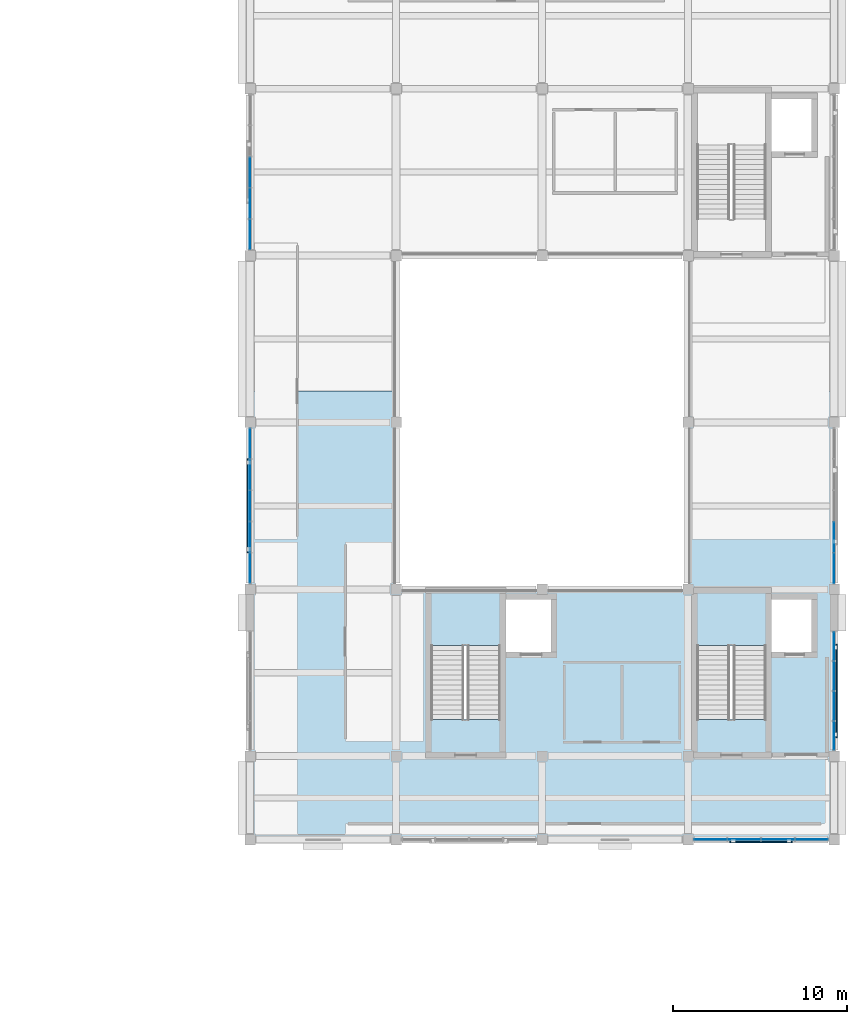
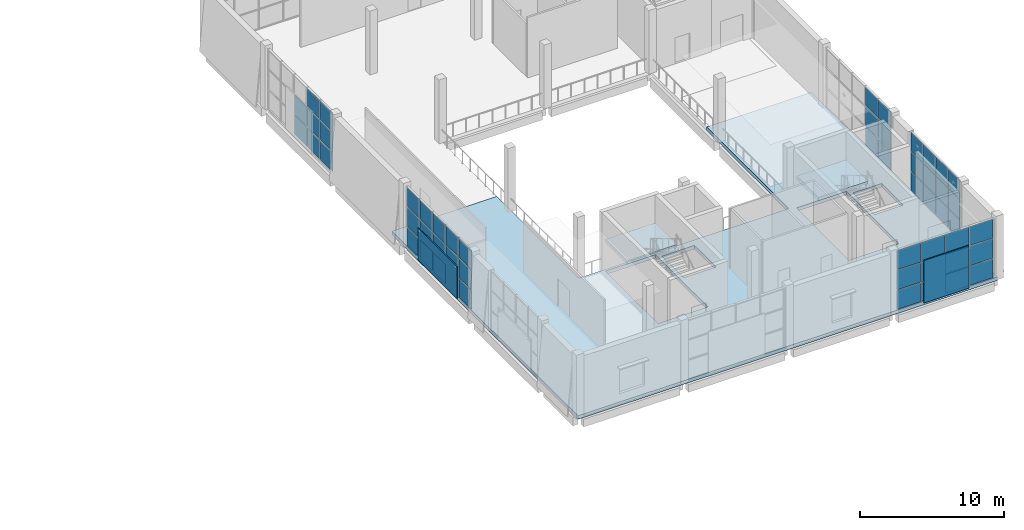
# One storey, part 35 of 57: 56 plates, 3 slabs, 7 elements without a shape of their own.
"""IFC4 building model written with IfcOpenShell, lengths in metres."""

from ifc_helpers import new_model, si_unit, direction, frame, origin, origin_2d, place, context, subcontext, project, spatial, polyline, rectangle, outline, extrude, material, layer, layer_set, type_object, element, aggregate, save


model = new_model("IFC4")

# Units and contexts
model_context = context("Model", 3, precision=1e-05, world=origin(), true_north=direction((0.0, 1.0)))
body_context = subcontext(model_context, "Body", "Model", "MODEL_VIEW")
ifc_project = project(units=[si_unit("LENGTHUNIT", "METRE"), si_unit("AREAUNIT", "SQUARE_METRE"), si_unit("VOLUMEUNIT", "CUBIC_METRE"), si_unit("PLANEANGLEUNIT", "RADIAN"), si_unit("MASSUNIT", "GRAM", prefix="KILO")], contexts=[model_context])

# Site, building, storey
site_placement = place(None, origin())
site = spatial("IfcSite", under=ifc_project, at=site_placement, CompositionType="ELEMENT")
building_placement = place(site_placement, origin())
building = spatial("IfcBuilding", under=site, at=building_placement, Name="Shalvenor Court Art Gallery", CompositionType="ELEMENT")
storey_placement = place(building_placement, frame((0.0, 0.0, 16.800048828125)))
storey = spatial("IfcBuildingStorey", under=building, at=storey_placement, Name="L03", CompositionType="ELEMENT", Elevation=16.800048828125)

# Curtain wall, plates
ifc_material_1 = material(Name="Anodised aluminium and low-iron glass curtain wall", Category="aluminium")
curtain_wall_type_1 = type_object("IfcCurtainWallType", Name="CW-5x3-90-51-642", PredefinedType="USERDEFINED", material=ifc_material_1)
curtain_wall_1_placement = place(storey_placement, origin())
curtain_wall_1 = element("IfcCurtainWall", 1, at=curtain_wall_1_placement, inside=storey, type_object=curtain_wall_type_1, Name="L03 V1 Curtain Wall CW-L03-023", ObjectType="CURTAIN WALL", PredefinedType="USERDEFINED")
ifc_material_2 = material(Name="Low-iron triple-silver solar gallery glazing IGU", Category="glass")
ifc_layer_1 = layer(ifc_material_2, 0.031982421875, Name="Low-iron triple-silver solar gallery glazing IGU")
ifc_layer_set_1 = layer_set([ifc_layer_1], Name="Low-iron triple-silver solar gallery glazing IGU")
plate_type_1 = type_object("IfcPlateType", Name="CWP-02", PredefinedType="CURTAIN_PANEL", material=ifc_layer_set_1)
plate_1_placement = place(storey_placement, frame((176.39990234375, 63.0, 0.06982421875), z_axis=(0.0, 0.0, 1.0), x_axis=(0.0, -1.0, 0.0)))
plate_1 = element("IfcPlate", 2, at=plate_1_placement, type_object=plate_type_1, Name="CW-5x3-90-51-642 panel 4.1", PredefinedType="CURTAIN_PANEL", context=body_context, shape_type="SweptSolid", body=[
    extrude(rectangle(XDim=1.7451171875, YDim=0.031982421875, at=origin_2d()), origin(), (0.0, 0.0, 1.0), 1.594970703125),
])
plate_2_placement = place(storey_placement, frame((176.39990234375, 63.0, 1.735107421875), z_axis=(0.0, 0.0, 1.0), x_axis=(0.0, -1.0, 0.0)))
plate_2 = element("IfcPlate", 3, at=plate_2_placement, type_object=plate_type_1, Name="CW-5x3-90-51-642 panel 4.2", PredefinedType="CURTAIN_PANEL", context=body_context, shape_type="SweptSolid", body=[
    extrude(rectangle(XDim=1.7451171875, YDim=0.031982421875, at=origin_2d()), origin(), (0.0, 0.0, 1.0), 1.6298828125),
])
plate_3_placement = place(storey_placement, frame((176.39990234375, 63.0, 3.43505859375), z_axis=(0.0, 0.0, 1.0), x_axis=(0.0, -1.0, 0.0)))
plate_3 = element("IfcPlate", 4, at=plate_3_placement, type_object=plate_type_1, Name="CW-5x3-90-51-642 panel 4.3", PredefinedType="CURTAIN_PANEL", context=body_context, shape_type="SweptSolid", body=[
    extrude(rectangle(XDim=1.7451171875, YDim=0.031982421875, at=origin_2d()), origin(), (0.0, 0.0, 1.0), 1.594970703125),
])
plate_4_placement = place(storey_placement, frame((176.39990234375, 61.2138671875, 0.06982421875), z_axis=(0.0, 0.0, 1.0), x_axis=(0.0, -1.0, 0.0)))
plate_4 = element("IfcPlate", 5, at=plate_4_placement, type_object=plate_type_1, Name="CW-5x3-90-51-642 panel 5.1", PredefinedType="CURTAIN_PANEL", context=body_context, shape_type="SweptSolid", body=[
    extrude(rectangle(XDim=1.717529296875, YDim=0.031982421875, at=origin_2d()), origin(), (0.0, 0.0, 1.0), 1.594970703125),
])
plate_5_placement = place(storey_placement, frame((176.39990234375, 61.2138671875, 1.735107421875), z_axis=(0.0, 0.0, 1.0), x_axis=(0.0, -1.0, 0.0)))
plate_5 = element("IfcPlate", 6, at=plate_5_placement, type_object=plate_type_1, Name="CW-5x3-90-51-642 panel 5.2", PredefinedType="CURTAIN_PANEL", context=body_context, shape_type="SweptSolid", body=[
    extrude(rectangle(XDim=1.717529296875, YDim=0.031982421875, at=origin_2d()), origin(), (0.0, 0.0, 1.0), 1.6298828125),
])
plate_6_placement = place(storey_placement, frame((176.39990234375, 61.2138671875, 3.43505859375), z_axis=(0.0, 0.0, 1.0), x_axis=(0.0, -1.0, 0.0)))
plate_6 = element("IfcPlate", 7, at=plate_6_placement, type_object=plate_type_1, Name="CW-5x3-90-51-642 panel 5.3", PredefinedType="CURTAIN_PANEL", context=body_context, shape_type="SweptSolid", body=[
    extrude(rectangle(XDim=1.717529296875, YDim=0.031982421875, at=origin_2d()), origin(), (0.0, 0.0, 1.0), 1.594970703125),
])
aggregate(curtain_wall_1, [plate_1, plate_2, plate_3, plate_4, plate_5, plate_6])

ifc_material_3 = material(Name="Anodised aluminium and low-iron glass curtain wall", Category="aluminium")
curtain_wall_type_2 = type_object("IfcCurtainWallType", Name="CW-4x3-69-51-112", PredefinedType="USERDEFINED", material=ifc_material_3)
curtain_wall_2_placement = place(storey_placement, origin())
curtain_wall_2 = element("IfcCurtainWall", 8, at=curtain_wall_2_placement, inside=storey, type_object=curtain_wall_type_2, Name="L03 V1 Curtain Wall CW-L03-024", ObjectType="CURTAIN WALL", PredefinedType="USERDEFINED")
plate_7_placement = place(storey_placement, frame((176.39990234375, 56.72119140625, 0.06005859375), z_axis=(0.0, 0.0, 1.0), x_axis=(0.0, -1.0, 0.0)))
plate_7 = element("IfcPlate", 9, at=plate_7_placement, type_object=plate_type_1, Name="CW-4x3-69-51-112 panel 1.1", PredefinedType="CURTAIN_PANEL", context=body_context, shape_type="SweptSolid", body=[
    extrude(rectangle(XDim=1.62744140625, YDim=0.031982421875, at=origin_2d()), origin(), (0.0, 0.0, 1.0), 1.610107421875),
])
plate_8_placement = place(storey_placement, frame((176.39990234375, 56.72119140625, 1.72998046875), z_axis=(0.0, 0.0, 1.0), x_axis=(0.0, -1.0, 0.0)))
plate_8 = element("IfcPlate", 10, at=plate_8_placement, type_object=plate_type_1, Name="CW-4x3-69-51-112 panel 1.2", PredefinedType="CURTAIN_PANEL", context=body_context, shape_type="SweptSolid", body=[
    extrude(rectangle(XDim=1.62744140625, YDim=0.031982421875, at=origin_2d()), origin(), (0.0, 0.0, 1.0), 1.639892578125),
])
plate_9_placement = place(storey_placement, frame((176.39990234375, 56.72119140625, 3.4296875), z_axis=(0.0, 0.0, 1.0), x_axis=(0.0, -1.0, 0.0)))
plate_9 = element("IfcPlate", 11, at=plate_9_placement, type_object=plate_type_1, Name="CW-4x3-69-51-112 panel 1.3", PredefinedType="CURTAIN_PANEL", context=body_context, shape_type="SweptSolid", body=[
    extrude(rectangle(XDim=1.62744140625, YDim=0.031982421875, at=origin_2d()), origin(), (0.0, 0.0, 1.0), 1.610107421875),
])
plate_10_placement = place(storey_placement, frame((176.39990234375, 55.012451171875, 0.06005859375), z_axis=(0.0, 0.0, 1.0), x_axis=(0.0, -1.0, 0.0)))
plate_10 = element("IfcPlate", 12, at=plate_10_placement, type_object=plate_type_1, Name="CW-4x3-69-51-112 panel 2.1", PredefinedType="CURTAIN_PANEL", context=body_context, shape_type="SweptSolid", body=[
    extrude(rectangle(XDim=1.659912109375, YDim=0.031982421875, at=origin_2d()), origin(), (0.0, 0.0, 1.0), 1.610107421875),
])
plate_11_placement = place(storey_placement, frame((176.39990234375, 55.012451171875, 1.72998046875), z_axis=(0.0, 0.0, 1.0), x_axis=(0.0, -1.0, 0.0)))
plate_11 = element("IfcPlate", 13, at=plate_11_placement, type_object=plate_type_1, Name="CW-4x3-69-51-112 panel 2.2", PredefinedType="CURTAIN_PANEL", context=body_context, shape_type="SweptSolid", body=[
    extrude(rectangle(XDim=1.659912109375, YDim=0.031982421875, at=origin_2d()), origin(), (0.0, 0.0, 1.0), 1.639892578125),
])
plate_12_placement = place(storey_placement, frame((176.39990234375, 55.012451171875, 3.4296875), z_axis=(0.0, 0.0, 1.0), x_axis=(0.0, -1.0, 0.0)))
plate_12 = element("IfcPlate", 14, at=plate_12_placement, type_object=plate_type_1, Name="CW-4x3-69-51-112 panel 2.3", PredefinedType="CURTAIN_PANEL", context=body_context, shape_type="SweptSolid", body=[
    extrude(rectangle(XDim=1.659912109375, YDim=0.031982421875, at=origin_2d()), origin(), (0.0, 0.0, 1.0), 1.610107421875),
])
plate_13_placement = place(storey_placement, frame((176.39990234375, 53.28759765625, 0.06005859375), z_axis=(0.0, 0.0, 1.0), x_axis=(0.0, -1.0, 0.0)))
plate_13 = element("IfcPlate", 15, at=plate_13_placement, type_object=plate_type_1, Name="CW-4x3-69-51-112 panel 3.1", PredefinedType="CURTAIN_PANEL", context=body_context, shape_type="SweptSolid", body=[
    extrude(rectangle(XDim=1.659912109375, YDim=0.031982421875, at=origin_2d()), origin(), (0.0, 0.0, 1.0), 1.610107421875),
])
plate_14_placement = place(storey_placement, frame((176.39990234375, 53.28759765625, 1.72998046875), z_axis=(0.0, 0.0, 1.0), x_axis=(0.0, -1.0, 0.0)))
plate_14 = element("IfcPlate", 16, at=plate_14_placement, type_object=plate_type_1, Name="CW-4x3-69-51-112 panel 3.2", PredefinedType="CURTAIN_PANEL", context=body_context, shape_type="SweptSolid", body=[
    extrude(rectangle(XDim=1.659912109375, YDim=0.031982421875, at=origin_2d()), origin(), (0.0, 0.0, 1.0), 1.639892578125),
])
plate_15_placement = place(storey_placement, frame((176.39990234375, 53.28759765625, 3.4296875), z_axis=(0.0, 0.0, 1.0), x_axis=(0.0, -1.0, 0.0)))
plate_15 = element("IfcPlate", 17, at=plate_15_placement, type_object=plate_type_1, Name="CW-4x3-69-51-112 panel 3.3", PredefinedType="CURTAIN_PANEL", context=body_context, shape_type="SweptSolid", body=[
    extrude(rectangle(XDim=1.659912109375, YDim=0.031982421875, at=origin_2d()), origin(), (0.0, 0.0, 1.0), 1.610107421875),
])
plate_16_placement = place(storey_placement, frame((176.39990234375, 51.578857421875, 0.06005859375), z_axis=(0.0, 0.0, 1.0), x_axis=(0.0, -1.0, 0.0)))
plate_16 = element("IfcPlate", 18, at=plate_16_placement, type_object=plate_type_1, Name="CW-4x3-69-51-112 panel 4.1", PredefinedType="CURTAIN_PANEL", context=body_context, shape_type="SweptSolid", body=[
    extrude(rectangle(XDim=1.62744140625, YDim=0.031982421875, at=origin_2d()), origin(), (0.0, 0.0, 1.0), 1.610107421875),
])
plate_17_placement = place(storey_placement, frame((176.39990234375, 51.578857421875, 1.72998046875), z_axis=(0.0, 0.0, 1.0), x_axis=(0.0, -1.0, 0.0)))
plate_17 = element("IfcPlate", 19, at=plate_17_placement, type_object=plate_type_1, Name="CW-4x3-69-51-112 panel 4.2", PredefinedType="CURTAIN_PANEL", context=body_context, shape_type="SweptSolid", body=[
    extrude(rectangle(XDim=1.62744140625, YDim=0.031982421875, at=origin_2d()), origin(), (0.0, 0.0, 1.0), 1.639892578125),
])
plate_18_placement = place(storey_placement, frame((176.39990234375, 51.578857421875, 3.4296875), z_axis=(0.0, 0.0, 1.0), x_axis=(0.0, -1.0, 0.0)))
plate_18 = element("IfcPlate", 20, at=plate_18_placement, type_object=plate_type_1, Name="CW-4x3-69-51-112 panel 4.3", PredefinedType="CURTAIN_PANEL", context=body_context, shape_type="SweptSolid", body=[
    extrude(rectangle(XDim=1.62744140625, YDim=0.031982421875, at=origin_2d()), origin(), (0.0, 0.0, 1.0), 1.610107421875),
])
aggregate(curtain_wall_2, [plate_7, plate_8, plate_9, plate_10, plate_11, plate_12, plate_13, plate_14, plate_15, plate_16, plate_17, plate_18])

ifc_material_4 = material(Name="Anodised aluminium and low-iron glass curtain wall", Category="aluminium")
curtain_wall_type_3 = type_object("IfcCurtainWallType", Name="CW-4x3-78-51-222", PredefinedType="USERDEFINED", material=ifc_material_4)
curtain_wall_3_placement = place(storey_placement, origin())
curtain_wall_3 = element("IfcCurtainWall", 21, at=curtain_wall_3_placement, inside=storey, type_object=curtain_wall_type_3, Name="L03 V1 Curtain Wall CW-L03-025", ObjectType="CURTAIN WALL", PredefinedType="USERDEFINED")
plate_19_placement = place(storey_placement, frame((175.107421875, 45.60009765625, 0.06494140625), z_axis=(0.0, 0.0, 1.0), x_axis=(-1.0, 0.0, 0.0)))
plate_19 = element("IfcPlate", 22, at=plate_19_placement, type_object=plate_type_1, Name="CW-4x3-78-51-222 panel 1.1", PredefinedType="CURTAIN_PANEL", context=body_context, shape_type="SweptSolid", body=[
    extrude(rectangle(XDim=1.844970703125, YDim=0.031982421875, at=origin_2d()), origin(), (0.0, 0.0, 1.0), 1.6025390625),
])
plate_20_placement = place(storey_placement, frame((175.107421875, 45.60009765625, 1.732421875), z_axis=(0.0, 0.0, 1.0), x_axis=(-1.0, 0.0, 0.0)))
plate_20 = element("IfcPlate", 23, at=plate_20_placement, type_object=plate_type_1, Name="CW-4x3-78-51-222 panel 1.2", PredefinedType="CURTAIN_PANEL", context=body_context, shape_type="SweptSolid", body=[
    extrude(rectangle(XDim=1.844970703125, YDim=0.031982421875, at=origin_2d()), origin(), (0.0, 0.0, 1.0), 1.635009765625),
])
plate_21_placement = place(storey_placement, frame((175.107421875, 45.60009765625, 3.432373046875), z_axis=(0.0, 0.0, 1.0), x_axis=(-1.0, 0.0, 0.0)))
plate_21 = element("IfcPlate", 24, at=plate_21_placement, type_object=plate_type_1, Name="CW-4x3-78-51-222 panel 1.3", PredefinedType="CURTAIN_PANEL", context=body_context, shape_type="SweptSolid", body=[
    extrude(rectangle(XDim=1.844970703125, YDim=0.031982421875, at=origin_2d()), origin(), (0.0, 0.0, 1.0), 1.6025390625),
])
plate_22_placement = place(storey_placement, frame((173.175048828125, 45.60009765625, 0.06494140625), z_axis=(0.0, 0.0, 1.0), x_axis=(-1.0, 0.0, 0.0)))
plate_22 = element("IfcPlate", 25, at=plate_22_placement, type_object=plate_type_1, Name="CW-4x3-78-51-222 panel 2.1", PredefinedType="CURTAIN_PANEL", context=body_context, shape_type="SweptSolid", body=[
    extrude(rectangle(XDim=1.8798828125, YDim=0.031982421875, at=origin_2d()), origin(), (0.0, 0.0, 1.0), 1.6025390625),
])
plate_23_placement = place(storey_placement, frame((173.175048828125, 45.60009765625, 1.732421875), z_axis=(0.0, 0.0, 1.0), x_axis=(-1.0, 0.0, 0.0)))
plate_23 = element("IfcPlate", 26, at=plate_23_placement, type_object=plate_type_1, Name="CW-4x3-78-51-222 panel 2.2", PredefinedType="CURTAIN_PANEL", context=body_context, shape_type="SweptSolid", body=[
    extrude(rectangle(XDim=1.8798828125, YDim=0.031982421875, at=origin_2d()), origin(), (0.0, 0.0, 1.0), 1.635009765625),
])
plate_24_placement = place(storey_placement, frame((173.175048828125, 45.60009765625, 3.432373046875), z_axis=(0.0, 0.0, 1.0), x_axis=(-1.0, 0.0, 0.0)))
plate_24 = element("IfcPlate", 27, at=plate_24_placement, type_object=plate_type_1, Name="CW-4x3-78-51-222 panel 2.3", PredefinedType="CURTAIN_PANEL", context=body_context, shape_type="SweptSolid", body=[
    extrude(rectangle(XDim=1.8798828125, YDim=0.031982421875, at=origin_2d()), origin(), (0.0, 0.0, 1.0), 1.6025390625),
])
plate_25_placement = place(storey_placement, frame((171.22509765625, 45.60009765625, 0.06494140625), z_axis=(0.0, 0.0, 1.0), x_axis=(-1.0, 0.0, 0.0)))
plate_25 = element("IfcPlate", 28, at=plate_25_placement, type_object=plate_type_1, Name="CW-4x3-78-51-222 panel 3.1", PredefinedType="CURTAIN_PANEL", context=body_context, shape_type="SweptSolid", body=[
    extrude(rectangle(XDim=1.8798828125, YDim=0.031982421875, at=origin_2d()), origin(), (0.0, 0.0, 1.0), 1.6025390625),
])
plate_26_placement = place(storey_placement, frame((171.22509765625, 45.60009765625, 1.732421875), z_axis=(0.0, 0.0, 1.0), x_axis=(-1.0, 0.0, 0.0)))
plate_26 = element("IfcPlate", 29, at=plate_26_placement, type_object=plate_type_1, Name="CW-4x3-78-51-222 panel 3.2", PredefinedType="CURTAIN_PANEL", context=body_context, shape_type="SweptSolid", body=[
    extrude(rectangle(XDim=1.8798828125, YDim=0.031982421875, at=origin_2d()), origin(), (0.0, 0.0, 1.0), 1.635009765625),
])
plate_27_placement = place(storey_placement, frame((171.22509765625, 45.60009765625, 3.432373046875), z_axis=(0.0, 0.0, 1.0), x_axis=(-1.0, 0.0, 0.0)))
plate_27 = element("IfcPlate", 30, at=plate_27_placement, type_object=plate_type_1, Name="CW-4x3-78-51-222 panel 3.3", PredefinedType="CURTAIN_PANEL", context=body_context, shape_type="SweptSolid", body=[
    extrude(rectangle(XDim=1.8798828125, YDim=0.031982421875, at=origin_2d()), origin(), (0.0, 0.0, 1.0), 1.6025390625),
])
plate_28_placement = place(storey_placement, frame((169.29248046875, 45.60009765625, 0.06494140625), z_axis=(0.0, 0.0, 1.0), x_axis=(-1.0, 0.0, 0.0)))
plate_28 = element("IfcPlate", 31, at=plate_28_placement, type_object=plate_type_1, Name="CW-4x3-78-51-222 panel 4.1", PredefinedType="CURTAIN_PANEL", context=body_context, shape_type="SweptSolid", body=[
    extrude(rectangle(XDim=1.844970703125, YDim=0.031982421875, at=origin_2d()), origin(), (0.0, 0.0, 1.0), 1.6025390625),
])
plate_29_placement = place(storey_placement, frame((169.29248046875, 45.60009765625, 1.732421875), z_axis=(0.0, 0.0, 1.0), x_axis=(-1.0, 0.0, 0.0)))
plate_29 = element("IfcPlate", 32, at=plate_29_placement, type_object=plate_type_1, Name="CW-4x3-78-51-222 panel 4.2", PredefinedType="CURTAIN_PANEL", context=body_context, shape_type="SweptSolid", body=[
    extrude(rectangle(XDim=1.844970703125, YDim=0.031982421875, at=origin_2d()), origin(), (0.0, 0.0, 1.0), 1.635009765625),
])
plate_30_placement = place(storey_placement, frame((169.29248046875, 45.60009765625, 3.432373046875), z_axis=(0.0, 0.0, 1.0), x_axis=(-1.0, 0.0, 0.0)))
plate_30 = element("IfcPlate", 33, at=plate_30_placement, type_object=plate_type_1, Name="CW-4x3-78-51-222 panel 4.3", PredefinedType="CURTAIN_PANEL", context=body_context, shape_type="SweptSolid", body=[
    extrude(rectangle(XDim=1.844970703125, YDim=0.031982421875, at=origin_2d()), origin(), (0.0, 0.0, 1.0), 1.6025390625),
])
aggregate(curtain_wall_3, [plate_19, plate_20, plate_21, plate_22, plate_23, plate_24, plate_25, plate_26, plate_27, plate_28, plate_29, plate_30])

ifc_material_5 = material(Name="Anodised aluminium and low-iron glass curtain wall", Category="aluminium")
curtain_wall_type_4 = type_object("IfcCurtainWallType", Name="CW-5x3-90-51-122", PredefinedType="USERDEFINED", material=ifc_material_5)
curtain_wall_4_placement = place(storey_placement, origin())
curtain_wall_4 = element("IfcCurtainWall", 34, at=curtain_wall_4_placement, inside=storey, type_object=curtain_wall_type_4, Name="L03 V1 Curtain Wall CW-L03-028", ObjectType="CURTAIN WALL", PredefinedType="USERDEFINED")
plate_31_placement = place(storey_placement, frame((142.800048828125, 61.21630859375, 0.06494140625), z_axis=(0.0, 0.0, 1.0), x_axis=(0.0, 1.0, 0.0)))
plate_31 = element("IfcPlate", 35, at=plate_31_placement, type_object=plate_type_1, Name="CW-5x3-90-51-122 panel 1.1", PredefinedType="CURTAIN_PANEL", context=body_context, shape_type="SweptSolid", body=[
    extrude(rectangle(XDim=1.702392578125, YDim=0.031982421875, at=origin_2d()), origin(), (0.0, 0.0, 1.0), 1.6025390625),
])
plate_32_placement = place(storey_placement, frame((142.800048828125, 61.21630859375, 1.732421875), z_axis=(0.0, 0.0, 1.0), x_axis=(0.0, 1.0, 0.0)))
plate_32 = element("IfcPlate", 36, at=plate_32_placement, type_object=plate_type_1, Name="CW-5x3-90-51-122 panel 1.2", PredefinedType="CURTAIN_PANEL", context=body_context, shape_type="SweptSolid", body=[
    extrude(rectangle(XDim=1.702392578125, YDim=0.031982421875, at=origin_2d()), origin(), (0.0, 0.0, 1.0), 1.635009765625),
])
plate_33_placement = place(storey_placement, frame((142.800048828125, 61.21630859375, 3.432373046875), z_axis=(0.0, 0.0, 1.0), x_axis=(0.0, 1.0, 0.0)))
plate_33 = element("IfcPlate", 37, at=plate_33_placement, type_object=plate_type_1, Name="CW-5x3-90-51-122 panel 1.3", PredefinedType="CURTAIN_PANEL", context=body_context, shape_type="SweptSolid", body=[
    extrude(rectangle(XDim=1.702392578125, YDim=0.031982421875, at=origin_2d()), origin(), (0.0, 0.0, 1.0), 1.6025390625),
])
plate_34_placement = place(storey_placement, frame((142.800048828125, 63.0, 0.06494140625), z_axis=(0.0, 0.0, 1.0), x_axis=(0.0, 1.0, 0.0)))
plate_34 = element("IfcPlate", 38, at=plate_34_placement, type_object=plate_type_1, Name="CW-5x3-90-51-122 panel 2.1", PredefinedType="CURTAIN_PANEL", context=body_context, shape_type="SweptSolid", body=[
    extrude(rectangle(XDim=1.735107421875, YDim=0.031982421875, at=origin_2d()), origin(), (0.0, 0.0, 1.0), 1.6025390625),
])
plate_35_placement = place(storey_placement, frame((142.800048828125, 63.0, 1.732421875), z_axis=(0.0, 0.0, 1.0), x_axis=(0.0, 1.0, 0.0)))
plate_35 = element("IfcPlate", 39, at=plate_35_placement, type_object=plate_type_1, Name="CW-5x3-90-51-122 panel 2.2", PredefinedType="CURTAIN_PANEL", context=body_context, shape_type="SweptSolid", body=[
    extrude(rectangle(XDim=1.735107421875, YDim=0.031982421875, at=origin_2d()), origin(), (0.0, 0.0, 1.0), 1.635009765625),
])
plate_36_placement = place(storey_placement, frame((142.800048828125, 63.0, 3.432373046875), z_axis=(0.0, 0.0, 1.0), x_axis=(0.0, 1.0, 0.0)))
plate_36 = element("IfcPlate", 40, at=plate_36_placement, type_object=plate_type_1, Name="CW-5x3-90-51-122 panel 2.3", PredefinedType="CURTAIN_PANEL", context=body_context, shape_type="SweptSolid", body=[
    extrude(rectangle(XDim=1.735107421875, YDim=0.031982421875, at=origin_2d()), origin(), (0.0, 0.0, 1.0), 1.6025390625),
])
plate_37_placement = place(storey_placement, frame((142.800048828125, 64.800048828125, 0.06494140625), z_axis=(0.0, 0.0, 1.0), x_axis=(0.0, 1.0, 0.0)))
plate_37 = element("IfcPlate", 41, at=plate_37_placement, type_object=plate_type_1, Name="CW-5x3-90-51-122 panel 3.1", PredefinedType="CURTAIN_PANEL", context=body_context, shape_type="SweptSolid", body=[
    extrude(rectangle(XDim=1.735107421875, YDim=0.031982421875, at=origin_2d()), origin(), (0.0, 0.0, 1.0), 1.6025390625),
])
plate_38_placement = place(storey_placement, frame((142.800048828125, 64.800048828125, 1.732421875), z_axis=(0.0, 0.0, 1.0), x_axis=(0.0, 1.0, 0.0)))
plate_38 = element("IfcPlate", 42, at=plate_38_placement, type_object=plate_type_1, Name="CW-5x3-90-51-122 panel 3.2", PredefinedType="CURTAIN_PANEL", context=body_context, shape_type="SweptSolid", body=[
    extrude(rectangle(XDim=1.735107421875, YDim=0.031982421875, at=origin_2d()), origin(), (0.0, 0.0, 1.0), 1.635009765625),
])
plate_39_placement = place(storey_placement, frame((142.800048828125, 64.800048828125, 3.432373046875), z_axis=(0.0, 0.0, 1.0), x_axis=(0.0, 1.0, 0.0)))
plate_39 = element("IfcPlate", 43, at=plate_39_placement, type_object=plate_type_1, Name="CW-5x3-90-51-122 panel 3.3", PredefinedType="CURTAIN_PANEL", context=body_context, shape_type="SweptSolid", body=[
    extrude(rectangle(XDim=1.735107421875, YDim=0.031982421875, at=origin_2d()), origin(), (0.0, 0.0, 1.0), 1.6025390625),
])
plate_40_placement = place(storey_placement, frame((142.800048828125, 66.60009765625, 0.06494140625), z_axis=(0.0, 0.0, 1.0), x_axis=(0.0, 1.0, 0.0)))
plate_40 = element("IfcPlate", 44, at=plate_40_placement, type_object=plate_type_1, Name="CW-5x3-90-51-122 panel 4.1", PredefinedType="CURTAIN_PANEL", context=body_context, shape_type="SweptSolid", body=[
    extrude(rectangle(XDim=1.735107421875, YDim=0.031982421875, at=origin_2d()), origin(), (0.0, 0.0, 1.0), 1.6025390625),
])
plate_41_placement = place(storey_placement, frame((142.800048828125, 66.60009765625, 1.732421875), z_axis=(0.0, 0.0, 1.0), x_axis=(0.0, 1.0, 0.0)))
plate_41 = element("IfcPlate", 45, at=plate_41_placement, type_object=plate_type_1, Name="CW-5x3-90-51-122 panel 4.2", PredefinedType="CURTAIN_PANEL", context=body_context, shape_type="SweptSolid", body=[
    extrude(rectangle(XDim=1.735107421875, YDim=0.031982421875, at=origin_2d()), origin(), (0.0, 0.0, 1.0), 1.635009765625),
])
plate_42_placement = place(storey_placement, frame((142.800048828125, 66.60009765625, 3.432373046875), z_axis=(0.0, 0.0, 1.0), x_axis=(0.0, 1.0, 0.0)))
plate_42 = element("IfcPlate", 46, at=plate_42_placement, type_object=plate_type_1, Name="CW-5x3-90-51-122 panel 4.3", PredefinedType="CURTAIN_PANEL", context=body_context, shape_type="SweptSolid", body=[
    extrude(rectangle(XDim=1.735107421875, YDim=0.031982421875, at=origin_2d()), origin(), (0.0, 0.0, 1.0), 1.6025390625),
])
plate_43_placement = place(storey_placement, frame((142.800048828125, 68.3837890625, 0.06494140625), z_axis=(0.0, 0.0, 1.0), x_axis=(0.0, 1.0, 0.0)))
plate_43 = element("IfcPlate", 47, at=plate_43_placement, type_object=plate_type_1, Name="CW-5x3-90-51-122 panel 5.1", PredefinedType="CURTAIN_PANEL", context=body_context, shape_type="SweptSolid", body=[
    extrude(rectangle(XDim=1.702392578125, YDim=0.031982421875, at=origin_2d()), origin(), (0.0, 0.0, 1.0), 1.6025390625),
])
plate_44_placement = place(storey_placement, frame((142.800048828125, 68.3837890625, 1.732421875), z_axis=(0.0, 0.0, 1.0), x_axis=(0.0, 1.0, 0.0)))
plate_44 = element("IfcPlate", 48, at=plate_44_placement, type_object=plate_type_1, Name="CW-5x3-90-51-122 panel 5.2", PredefinedType="CURTAIN_PANEL", context=body_context, shape_type="SweptSolid", body=[
    extrude(rectangle(XDim=1.702392578125, YDim=0.031982421875, at=origin_2d()), origin(), (0.0, 0.0, 1.0), 1.635009765625),
])
plate_45_placement = place(storey_placement, frame((142.800048828125, 68.3837890625, 3.432373046875), z_axis=(0.0, 0.0, 1.0), x_axis=(0.0, 1.0, 0.0)))
plate_45 = element("IfcPlate", 49, at=plate_45_placement, type_object=plate_type_1, Name="CW-5x3-90-51-122 panel 5.3", PredefinedType="CURTAIN_PANEL", context=body_context, shape_type="SweptSolid", body=[
    extrude(rectangle(XDim=1.702392578125, YDim=0.031982421875, at=origin_2d()), origin(), (0.0, 0.0, 1.0), 1.6025390625),
])
aggregate(curtain_wall_4, [plate_31, plate_32, plate_33, plate_34, plate_35, plate_36, plate_37, plate_38, plate_39, plate_40, plate_41, plate_42, plate_43, plate_44, plate_45])

ifc_material_6 = material(Name="Anodised aluminium and low-iron glass curtain wall", Category="aluminium")
curtain_wall_type_5 = type_object("IfcCurtainWallType", Name="CW-5x3-90-51-242", PredefinedType="USERDEFINED", material=ifc_material_6)
curtain_wall_5_placement = place(storey_placement, origin())
curtain_wall_5 = element("IfcCurtainWall", 50, at=curtain_wall_5_placement, inside=storey, type_object=curtain_wall_type_5, Name="L03 V1 Curtain Wall CW-L03-029", ObjectType="CURTAIN WALL", PredefinedType="USERDEFINED")
plate_46_placement = place(storey_placement, frame((142.800048828125, 80.41748046875, 0.06982421875), z_axis=(0.0, 0.0, 1.0), x_axis=(0.0, 1.0, 0.0)))
plate_46 = element("IfcPlate", 51, at=plate_46_placement, type_object=plate_type_1, Name="CW-5x3-90-51-242 panel 1.1", PredefinedType="CURTAIN_PANEL", context=body_context, shape_type="SweptSolid", body=[
    extrude(rectangle(XDim=1.695068359375, YDim=0.031982421875, at=origin_2d()), origin(), (0.0, 0.0, 1.0), 1.594970703125),
])
plate_47_placement = place(storey_placement, frame((142.800048828125, 80.41748046875, 1.735107421875), z_axis=(0.0, 0.0, 1.0), x_axis=(0.0, 1.0, 0.0)))
plate_47 = element("IfcPlate", 52, at=plate_47_placement, type_object=plate_type_1, Name="CW-5x3-90-51-242 panel 1.2", PredefinedType="CURTAIN_PANEL", context=body_context, shape_type="SweptSolid", body=[
    extrude(rectangle(XDim=1.695068359375, YDim=0.031982421875, at=origin_2d()), origin(), (0.0, 0.0, 1.0), 1.6298828125),
])
plate_48_placement = place(storey_placement, frame((142.800048828125, 80.41748046875, 3.43505859375), z_axis=(0.0, 0.0, 1.0), x_axis=(0.0, 1.0, 0.0)))
plate_48 = element("IfcPlate", 53, at=plate_48_placement, type_object=plate_type_1, Name="CW-5x3-90-51-242 panel 1.3", PredefinedType="CURTAIN_PANEL", context=body_context, shape_type="SweptSolid", body=[
    extrude(rectangle(XDim=1.695068359375, YDim=0.031982421875, at=origin_2d()), origin(), (0.0, 0.0, 1.0), 1.594970703125),
])
plate_49_placement = place(storey_placement, frame((142.800048828125, 82.199951171875, 0.06982421875), z_axis=(0.0, 0.0, 1.0), x_axis=(0.0, 1.0, 0.0)))
plate_49 = element("IfcPlate", 54, at=plate_49_placement, type_object=plate_type_1, Name="CW-5x3-90-51-242 panel 2.1", PredefinedType="CURTAIN_PANEL", context=body_context, shape_type="SweptSolid", body=[
    extrude(rectangle(XDim=1.72998046875, YDim=0.031982421875, at=origin_2d()), origin(), (0.0, 0.0, 1.0), 1.594970703125),
])
plate_50_placement = place(storey_placement, frame((142.800048828125, 82.199951171875, 1.735107421875), z_axis=(0.0, 0.0, 1.0), x_axis=(0.0, 1.0, 0.0)))
plate_50 = element("IfcPlate", 55, at=plate_50_placement, type_object=plate_type_1, Name="CW-5x3-90-51-242 panel 2.2", PredefinedType="CURTAIN_PANEL", context=body_context, shape_type="SweptSolid", body=[
    extrude(rectangle(XDim=1.72998046875, YDim=0.031982421875, at=origin_2d()), origin(), (0.0, 0.0, 1.0), 1.6298828125),
])
plate_51_placement = place(storey_placement, frame((142.800048828125, 82.199951171875, 3.43505859375), z_axis=(0.0, 0.0, 1.0), x_axis=(0.0, 1.0, 0.0)))
plate_51 = element("IfcPlate", 56, at=plate_51_placement, type_object=plate_type_1, Name="CW-5x3-90-51-242 panel 2.3", PredefinedType="CURTAIN_PANEL", context=body_context, shape_type="SweptSolid", body=[
    extrude(rectangle(XDim=1.72998046875, YDim=0.031982421875, at=origin_2d()), origin(), (0.0, 0.0, 1.0), 1.594970703125),
])
plate_52_placement = place(storey_placement, frame((142.800048828125, 84.0, 0.06982421875), z_axis=(0.0, 0.0, 1.0), x_axis=(0.0, 1.0, 0.0)))
plate_52 = element("IfcPlate", 57, at=plate_52_placement, type_object=plate_type_1, Name="CW-5x3-90-51-242 panel 3.1", PredefinedType="CURTAIN_PANEL", context=body_context, shape_type="SweptSolid", body=[
    extrude(rectangle(XDim=1.72998046875, YDim=0.031982421875, at=origin_2d()), origin(), (0.0, 0.0, 1.0), 1.594970703125),
])
plate_53_placement = place(storey_placement, frame((142.800048828125, 84.0, 1.735107421875), z_axis=(0.0, 0.0, 1.0), x_axis=(0.0, 1.0, 0.0)))
plate_53 = element("IfcPlate", 58, at=plate_53_placement, type_object=plate_type_1, Name="CW-5x3-90-51-242 panel 3.2", PredefinedType="CURTAIN_PANEL", context=body_context, shape_type="SweptSolid", body=[
    extrude(rectangle(XDim=1.72998046875, YDim=0.031982421875, at=origin_2d()), origin(), (0.0, 0.0, 1.0), 1.6298828125),
])
aggregate(curtain_wall_5, [plate_46, plate_47, plate_48, plate_49, plate_50, plate_51, plate_52, plate_53])

# Slab
ifc_material_7 = material(Name="Concrete C40/50", Category="concrete")
ifc_layer_2 = layer(ifc_material_7, 0.300048828125, Name="Concrete C40/50")
ifc_layer_set_2 = layer_set([ifc_layer_2], Name="Concrete C40/50")
slab_type_1 = type_object("IfcSlabType", Name="FS-300", PredefinedType="FLOOR", material=ifc_layer_set_2)
slab_1_placement = place(storey_placement, frame((0.0, 0.0, -0.300048828125)))
element("IfcSlab", 59, at=slab_1_placement, inside=storey, type_object=slab_type_1, Name="L03 V1 Floor Slab 1", PredefinedType="FLOOR", context=body_context, shape_type="SweptSolid", body=[
    extrude(outline(polyline([(176.39990234375, 45.60009765625), (142.800048828125, 45.60009765625), (142.800048828125, 71.39990234375), (151.199951171875, 71.39990234375), (151.199951171875, 60.0), (168.0, 60.0), (168.0, 71.39990234375), (176.39990234375, 71.39990234375), (176.39990234375, 45.60009765625)]), holes=[polyline([(168.5, 59.800048828125), (168.5, 52.510986328125), (172.5, 52.510986328125), (172.5, 59.800048828125), (168.5, 59.800048828125)]), polyline([(157.199951171875, 59.800048828125), (153.199951171875, 59.800048828125), (153.199951171875, 52.510986328125), (157.199951171875, 52.510986328125), (157.199951171875, 59.800048828125)]), polyline([(172.81201171875, 56.39990234375), (175.10009765625, 56.39990234375), (175.10009765625, 59.39990234375), (172.81201171875, 59.39990234375), (172.81201171875, 56.39990234375)]), polyline([(157.511962890625, 59.39990234375), (157.511962890625, 56.39990234375), (160.10009765625, 56.39990234375), (160.10009765625, 59.39990234375), (157.511962890625, 59.39990234375)])]), origin(), (0.0, 0.0, 1.0), 0.300048828125),
])

# Plates
ifc_material_8 = material(Name="Perforated pale limestone GRC lattice", Category="masonry")
ifc_layer_3 = layer(ifc_material_8, 0.090087890625, Name="Perforated pale limestone GRC lattice")
ifc_layer_set_3 = layer_set([ifc_layer_3], Name="Perforated pale limestone GRC lattice")
plate_type_2 = type_object("IfcPlateType", Name="SCR-01", PredefinedType="USERDEFINED", material=ifc_layer_set_3)
plate_54_placement = place(storey_placement, frame((172.199951171875, 45.45703125, 0.0), z_axis=(0.0, 0.0, 1.0), x_axis=(-1.0, 0.0, 0.0)))
element("IfcPlate", 60, at=plate_54_placement, inside=storey, type_object=plate_type_2, Name="L03 V1 Perforated Stone Lattice Screen PLT-SCR-0025", ObjectType="SCREEN", PredefinedType="USERDEFINED", context=body_context, shape_type="SweptSolid", body=[
    extrude(rectangle(XDim=3.60009765625, YDim=0.090087890625, at=origin_2d()), origin(), (0.0, 0.0, 1.0), 3.60009765625),
])
ifc_material_9 = material(Name="Perforated pale limestone GRC lattice", Category="masonry")
ifc_layer_4 = layer(ifc_material_9, 0.090087890625, Name="Perforated pale limestone GRC lattice")
ifc_layer_set_4 = layer_set([ifc_layer_4], Name="Perforated pale limestone GRC lattice")
plate_type_3 = type_object("IfcPlateType", Name="SCR-04", PredefinedType="USERDEFINED", material=ifc_layer_set_4)
plate_55_placement = place(storey_placement, frame((176.532958984375, 54.14990234375, 0.0), z_axis=(0.0, 0.0, 1.0), x_axis=(0.0, -1.0, 0.0)))
element("IfcPlate", 61, at=plate_55_placement, inside=storey, type_object=plate_type_3, Name="L03 V1 Perforated Stone Lattice Screen PLT-SCR-0024", ObjectType="SCREEN", PredefinedType="USERDEFINED", context=body_context, shape_type="SweptSolid", body=[
    extrude(rectangle(XDim=5.39990234375, YDim=0.090087890625, at=origin_2d()), origin(), (0.0, 0.0, 1.0), 4.5),
])
ifc_material_10 = material(Name="Perforated pale limestone GRC lattice", Category="masonry")
ifc_layer_5 = layer(ifc_material_10, 0.0849609375, Name="Perforated pale limestone GRC lattice")
ifc_layer_set_5 = layer_set([ifc_layer_5], Name="Perforated pale limestone GRC lattice")
plate_type_4 = type_object("IfcPlateType", Name="SCR-14", PredefinedType="USERDEFINED", material=ifc_layer_set_5)
plate_56_placement = place(storey_placement, frame((142.66943359375, 64.800048828125, 0.0), z_axis=(0.0, 0.0, 1.0), x_axis=(0.0, 1.0, 0.0)))
element("IfcPlate", 62, at=plate_56_placement, inside=storey, type_object=plate_type_4, Name="L03 V1 Perforated Stone Lattice Screen PLT-SCR-0028", ObjectType="SCREEN", PredefinedType="USERDEFINED", context=body_context, shape_type="SweptSolid", body=[
    extrude(rectangle(XDim=5.39990234375, YDim=0.0849609375, at=origin_2d()), origin(), (0.0, 0.0, 1.0), 2.699951171875),
])

# Stair, slab
ifc_material_11 = material(Name="Concrete C40/50", Category="concrete")
stair_type = type_object("IfcStairType", Name="ST-DL-32R-1900", PredefinedType="HALF_TURN_STAIR", material=ifc_material_11)
stair_1_placement = place(storey_placement, origin())
stair_1 = element("IfcStair", 63, at=stair_1_placement, inside=storey, type_object=stair_type, Name="L03 Core Dogleg Stair ST-02", PredefinedType="HALF_TURN_STAIR")
ifc_material_12 = material(Name="Concrete C40/50", Category="concrete")
ifc_layer_6 = layer(ifc_material_12, 0.300048828125, Name="Concrete C40/50")
ifc_layer_set_6 = layer_set([ifc_layer_6], Name="Concrete C40/50")
slab_type_2 = type_object("IfcSlabType", Name="SLD-300", PredefinedType="LANDING", material=ifc_layer_set_6)
slab_2_placement = place(storey_placement, frame((0.0, 0.0, 2.39990234375)))
slab_2 = element("IfcSlab", 64, at=slab_2_placement, type_object=slab_type_2, Name="ST-DL-32R-1900 landing 1", PredefinedType="LANDING", context=body_context, shape_type="SweptSolid", body=[
    extrude(outline(polyline([(172.5, 56.77490234375), (172.5, 59.800048828125), (168.5, 59.800048828125), (168.5, 56.77490234375), (172.5, 56.77490234375)])), origin(), (0.0, 0.0, 1.0), 0.300048828125),
])
aggregate(stair_1, [slab_2])

stair_2_placement = place(storey_placement, origin())
stair_2 = element("IfcStair", 65, at=stair_2_placement, inside=storey, type_object=stair_type, Name="L03 Core Dogleg Stair ST-03", PredefinedType="HALF_TURN_STAIR")
slab_3_placement = place(storey_placement, frame((0.0, 0.0, 2.39990234375)))
slab_3 = element("IfcSlab", 66, at=slab_3_placement, type_object=slab_type_2, Name="ST-DL-32R-1900 landing 1", PredefinedType="LANDING", context=body_context, shape_type="SweptSolid", body=[
    extrude(outline(polyline([(157.199951171875, 56.77490234375), (157.199951171875, 59.800048828125), (153.199951171875, 59.800048828125), (153.199951171875, 56.77490234375), (157.199951171875, 56.77490234375)])), origin(), (0.0, 0.0, 1.0), 0.300048828125),
])
aggregate(stair_2, [slab_3])

save(model, "model.ifc")
